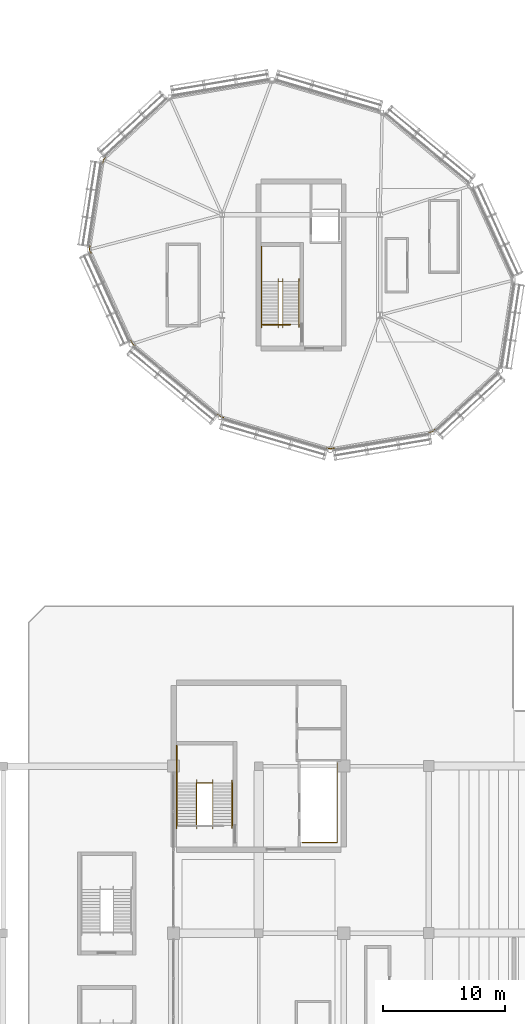
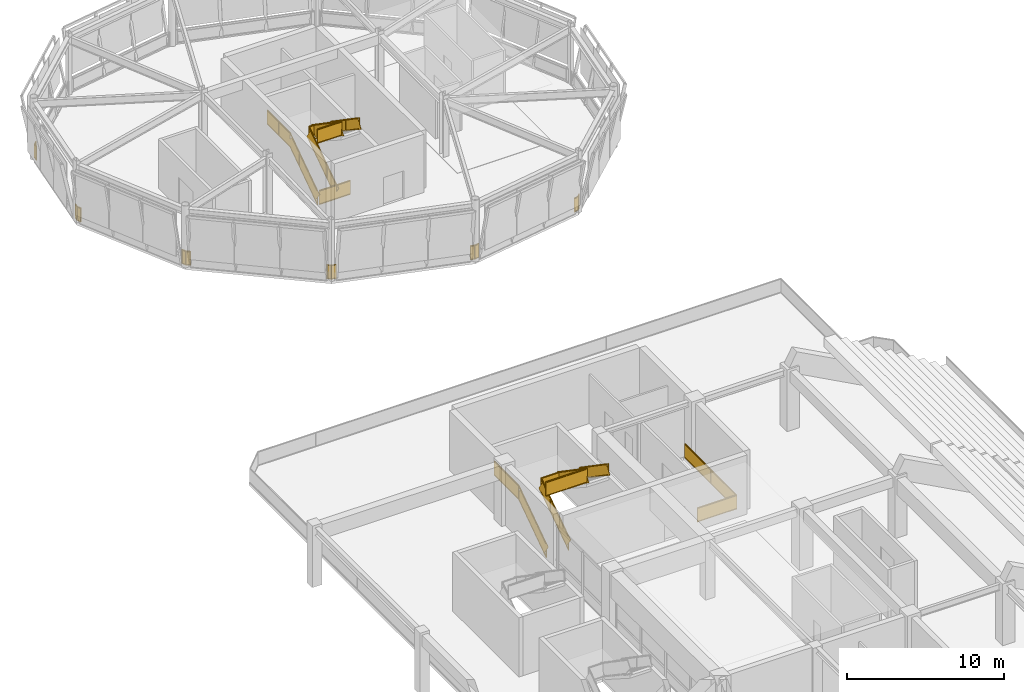
# One storey, part 89 of 94: 14 railings.
"""IFC4 building model written with IfcOpenShell, lengths in metres."""

from ifc_helpers import new_model, si_unit, direction, frame, origin, origin_2d, place, context, subcontext, project, spatial, rectangle, extrude, material, type_object, element, save


model = new_model("IFC4")

# Units and contexts
model_context = context("Model", 3, precision=1e-05, world=origin(), true_north=direction((0.0, 1.0)))
body_context = subcontext(model_context, "Body", "Model", "MODEL_VIEW")
ifc_project = project(units=[si_unit("LENGTHUNIT", "METRE"), si_unit("AREAUNIT", "SQUARE_METRE"), si_unit("VOLUMEUNIT", "CUBIC_METRE"), si_unit("PLANEANGLEUNIT", "RADIAN"), si_unit("MASSUNIT", "GRAM", prefix="KILO")], contexts=[model_context])

# Site, building, storey
site_placement = place(None, origin())
site = spatial("IfcSite", under=ifc_project, at=site_placement, CompositionType="ELEMENT")
building_placement = place(site_placement, origin())
building = spatial("IfcBuilding", under=site, at=building_placement, Name="Linyun Crest Stadium", CompositionType="ELEMENT")
storey_placement = place(building_placement, frame((0.0, 0.0, 16.199951171875)))
storey = spatial("IfcBuildingStorey", under=building, at=storey_placement, Name="L04", CompositionType="ELEMENT", Elevation=16.199951171875)

# Railings
ifc_material_1 = material(Name="Galvanized and powder-coated steel bowl safety barrier", Category="steel")
railing_type_1 = type_object("IfcRailingType", Name="GR02", PredefinedType="GUARDRAIL", material=ifc_material_1)
railing_1_placement = place(storey_placement, frame((-73.419921875, 37.090087890625, 0.0)))
element("IfcRailing", 1, at=railing_1_placement, inside=storey, type_object=railing_type_1, Name="Slab edge balustrade GR02 60", PredefinedType="GUARDRAIL", context=body_context, shape_type="SweptSolid", body=[
    extrude(rectangle(XDim=0.06005859375, YDim=0.06005859375, at=origin_2d()), frame((0.0, 0.0, 1.090087890625), z_axis=(1.0, 0.0, 0.0), x_axis=(0.0, 1.0, 0.0)), (0.0, 0.0, 1.0), 2.8798828125),
    extrude(rectangle(XDim=0.030029296875, YDim=1.0, at=origin_2d()), frame((0.0, 0.0, 0.56005859375), z_axis=(1.0, 0.0, 0.0), x_axis=(0.0, 1.0, 0.0)), (0.0, 0.0, 1.0), 2.8798828125),
    extrude(rectangle(XDim=0.06005859375, YDim=0.06005859375, at=origin_2d()), frame((0.0, 0.0, 0.030029296875), z_axis=(1.0, 0.0, 0.0), x_axis=(0.0, 1.0, 0.0)), (0.0, 0.0, 1.0), 2.8798828125),
    extrude(rectangle(XDim=0.06005859375, YDim=0.06005859375, at=origin_2d()), frame((2.8798828125, 0.0, 1.090087890625), z_axis=(0.0, 1.0, 0.0), x_axis=(-1.0, 0.0, 0.0)), (0.0, 0.0, 1.0), 6.5498046875),
    extrude(rectangle(XDim=0.030029296875, YDim=1.0, at=origin_2d()), frame((2.8798828125, 0.0, 0.56005859375), z_axis=(0.0, 1.0, 0.0), x_axis=(-1.0, 0.0, 0.0)), (0.0, 0.0, 1.0), 6.5498046875),
    extrude(rectangle(XDim=0.06005859375, YDim=0.06005859375, at=origin_2d()), frame((2.8798828125, 0.0, 0.030029296875), z_axis=(0.0, 1.0, 0.0), x_axis=(-1.0, 0.0, 0.0)), (0.0, 0.0, 1.0), 6.5498046875),
    extrude(rectangle(XDim=0.050048828125, YDim=0.050048828125, at=origin_2d()), origin(), (0.0, 0.0, 1.0), 1.1201171875),
    extrude(rectangle(XDim=0.050048828125, YDim=0.050048828125, at=origin_2d()), frame((2.8798828125, 0.0, 0.0)), (0.0, 0.0, 1.0), 1.1201171875),
    extrude(rectangle(XDim=0.050048828125, YDim=0.050048828125, at=origin_2d()), frame((2.8798828125, 3.27490234375, 0.0)), (0.0, 0.0, 1.0), 1.1201171875),
    extrude(rectangle(XDim=0.050048828125, YDim=0.050048828125, at=origin_2d()), frame((2.8798828125, 6.5498046875, 0.0)), (0.0, 0.0, 1.0), 1.1201171875),
])
railing_2_placement = place(storey_placement, frame((-62.507080078125, 71.08203125, 0.0)))
element("IfcRailing", 2, at=railing_2_placement, inside=storey, type_object=railing_type_1, Name="Slab edge balustrade GR02 287", PredefinedType="GUARDRAIL", context=body_context, shape_type="SweptSolid", body=[
    extrude(rectangle(XDim=0.06005859375, YDim=0.06005859375, at=origin_2d()), frame((0.0, 0.0, 1.090087890625), z_axis=(-0.734572019785, -0.678530727196, 0.0), x_axis=(0.678530727196, -0.734572019785, 0.0)), (0.0, 0.0, 1.0), 0.283203125),
    extrude(rectangle(XDim=0.030029296875, YDim=1.0, at=origin_2d()), frame((0.0, 0.0, 0.56005859375), z_axis=(-0.734572019785, -0.678530727196, 0.0), x_axis=(0.678530727196, -0.734572019785, 0.0)), (0.0, 0.0, 1.0), 0.283203125),
    extrude(rectangle(XDim=0.06005859375, YDim=0.06005859375, at=origin_2d()), frame((0.0, 0.0, 0.030029296875), z_axis=(-0.734572019785, -0.678530727196, 0.0), x_axis=(0.678530727196, -0.734572019785, 0.0)), (0.0, 0.0, 1.0), 0.283203125),
    extrude(rectangle(XDim=0.06005859375, YDim=0.06005859375, at=origin_2d()), frame((-0.2080078125, -0.192138671875, 1.090087890625), z_axis=(-0.986627241764, -0.1629929011, 0.0), x_axis=(0.1629929011, -0.986627241764, 0.0)), (0.0, 0.0, 1.0), 0.281494140625),
    extrude(rectangle(XDim=0.030029296875, YDim=1.0, at=origin_2d()), frame((-0.2080078125, -0.192138671875, 0.56005859375), z_axis=(-0.986627241764, -0.1629929011, 0.0), x_axis=(0.1629929011, -0.986627241764, 0.0)), (0.0, 0.0, 1.0), 0.281494140625),
    extrude(rectangle(XDim=0.06005859375, YDim=0.06005859375, at=origin_2d()), frame((-0.2080078125, -0.192138671875, 0.030029296875), z_axis=(-0.986627241764, -0.1629929011, 0.0), x_axis=(0.1629929011, -0.986627241764, 0.0)), (0.0, 0.0, 1.0), 0.281494140625),
    extrude(rectangle(XDim=0.050048828125, YDim=0.050048828125, at=origin_2d()), origin(), (0.0, 0.0, 1.0), 1.1201171875),
    extrude(rectangle(XDim=0.050048828125, YDim=0.050048828125, at=origin_2d()), frame((-0.2080078125, -0.192138671875, 0.0)), (0.0, 0.0, 1.0), 1.1201171875),
    extrude(rectangle(XDim=0.050048828125, YDim=0.050048828125, at=origin_2d()), frame((-0.48583984375, -0.238037109375, 0.0)), (0.0, 0.0, 1.0), 1.1201171875),
])
railing_3_placement = place(storey_placement, frame((-70.820068359375, 69.532958984375, 0.0)))
element("IfcRailing", 3, at=railing_3_placement, inside=storey, type_object=railing_type_1, Name="Slab edge balustrade GR02 288", PredefinedType="GUARDRAIL", context=body_context, shape_type="SweptSolid", body=[
    extrude(rectangle(XDim=0.06005859375, YDim=0.06005859375, at=origin_2d()), frame((0.0, 0.0, 1.090087890625), z_axis=(-0.985905166387, -0.167305119144, 0.0), x_axis=(0.167305119144, -0.985905166387, 0.0)), (0.0, 0.0, 1.0), 0.2861328125),
    extrude(rectangle(XDim=0.030029296875, YDim=1.0, at=origin_2d()), frame((0.0, 0.0, 0.56005859375), z_axis=(-0.985905166387, -0.167305119144, 0.0), x_axis=(0.167305119144, -0.985905166387, 0.0)), (0.0, 0.0, 1.0), 0.2861328125),
    extrude(rectangle(XDim=0.06005859375, YDim=0.06005859375, at=origin_2d()), frame((0.0, 0.0, 0.030029296875), z_axis=(-0.985905166387, -0.167305119144, 0.0), x_axis=(0.167305119144, -0.985905166387, 0.0)), (0.0, 0.0, 1.0), 0.2861328125),
    extrude(rectangle(XDim=0.06005859375, YDim=0.06005859375, at=origin_2d()), frame((-0.281982421875, -0.0478515625, 1.090087890625), z_axis=(-0.959406194526, 0.282027931073, 0.0), x_axis=(-0.282027931073, -0.959406194526, 0.0)), (0.0, 0.0, 1.0), 0.28662109375),
    extrude(rectangle(XDim=0.030029296875, YDim=1.0, at=origin_2d()), frame((-0.281982421875, -0.0478515625, 0.56005859375), z_axis=(-0.959406194526, 0.282027931073, 0.0), x_axis=(-0.282027931073, -0.959406194526, 0.0)), (0.0, 0.0, 1.0), 0.28662109375),
    extrude(rectangle(XDim=0.06005859375, YDim=0.06005859375, at=origin_2d()), frame((-0.281982421875, -0.0478515625, 0.030029296875), z_axis=(-0.959406194526, 0.282027931073, 0.0), x_axis=(-0.282027931073, -0.959406194526, 0.0)), (0.0, 0.0, 1.0), 0.28662109375),
    extrude(rectangle(XDim=0.050048828125, YDim=0.050048828125, at=origin_2d()), origin(), (0.0, 0.0, 1.0), 1.1201171875),
    extrude(rectangle(XDim=0.050048828125, YDim=0.050048828125, at=origin_2d()), frame((-0.281982421875, -0.0478515625, 0.0)), (0.0, 0.0, 1.0), 1.1201171875),
    extrude(rectangle(XDim=0.050048828125, YDim=0.050048828125, at=origin_2d()), frame((-0.556884765625, 0.032958984375, 0.0)), (0.0, 0.0, 1.0), 1.1201171875),
])
railing_4_placement = place(storey_placement, frame((-79.861083984375, 72.06005859375, 0.0)))
element("IfcRailing", 4, at=railing_4_placement, inside=storey, type_object=railing_type_1, Name="Slab edge balustrade GR02 289", PredefinedType="GUARDRAIL", context=body_context, shape_type="SweptSolid", body=[
    extrude(rectangle(XDim=0.06005859375, YDim=0.06005859375, at=origin_2d()), frame((0.0, 0.0, 1.090087890625), z_axis=(-0.959446583049, 0.281890500506, 0.0), x_axis=(-0.281890500506, -0.959446583049, 0.0)), (0.0, 0.0, 1.0), 0.28759765625),
    extrude(rectangle(XDim=0.030029296875, YDim=1.0, at=origin_2d()), frame((0.0, 0.0, 0.56005859375), z_axis=(-0.959446583049, 0.281890500506, 0.0), x_axis=(-0.281890500506, -0.959446583049, 0.0)), (0.0, 0.0, 1.0), 0.28759765625),
    extrude(rectangle(XDim=0.06005859375, YDim=0.06005859375, at=origin_2d()), frame((0.0, 0.0, 0.030029296875), z_axis=(-0.959446583049, 0.281890500506, 0.0), x_axis=(-0.281890500506, -0.959446583049, 0.0)), (0.0, 0.0, 1.0), 0.28759765625),
    extrude(rectangle(XDim=0.06005859375, YDim=0.06005859375, at=origin_2d()), frame((-0.27587890625, 0.0810546875, 1.090087890625), z_axis=(-0.771758653069, 0.635915545818, 0.0), x_axis=(-0.635915545818, -0.771758653069, 0.0)), (0.0, 0.0, 1.0), 0.28759765625),
    extrude(rectangle(XDim=0.030029296875, YDim=1.0, at=origin_2d()), frame((-0.27587890625, 0.0810546875, 0.56005859375), z_axis=(-0.771758653069, 0.635915545818, 0.0), x_axis=(-0.635915545818, -0.771758653069, 0.0)), (0.0, 0.0, 1.0), 0.28759765625),
    extrude(rectangle(XDim=0.06005859375, YDim=0.06005859375, at=origin_2d()), frame((-0.27587890625, 0.0810546875, 0.030029296875), z_axis=(-0.771758653069, 0.635915545818, 0.0), x_axis=(-0.635915545818, -0.771758653069, 0.0)), (0.0, 0.0, 1.0), 0.28759765625),
    extrude(rectangle(XDim=0.050048828125, YDim=0.050048828125, at=origin_2d()), origin(), (0.0, 0.0, 1.0), 1.1201171875),
    extrude(rectangle(XDim=0.050048828125, YDim=0.050048828125, at=origin_2d()), frame((-0.27587890625, 0.0810546875, 0.0)), (0.0, 0.0, 1.0), 1.1201171875),
    extrude(rectangle(XDim=0.050048828125, YDim=0.050048828125, at=origin_2d()), frame((-0.497802734375, 0.263916015625, 0.0)), (0.0, 0.0, 1.0), 1.1201171875),
])
railing_5_placement = place(storey_placement, frame((-87.172119140625, 77.965087890625, 0.0)))
element("IfcRailing", 5, at=railing_5_placement, inside=storey, type_object=railing_type_1, Name="Slab edge balustrade GR02 290", PredefinedType="GUARDRAIL", context=body_context, shape_type="SweptSolid", body=[
    extrude(rectangle(XDim=0.06005859375, YDim=0.06005859375, at=origin_2d()), frame((0.0, 0.0, 1.090087890625), z_axis=(-0.77066950633, 0.637235052404, 0.0), x_axis=(-0.637235052404, -0.77066950633, 0.0)), (0.0, 0.0, 1.0), 0.285400390625),
    extrude(rectangle(XDim=0.030029296875, YDim=1.0, at=origin_2d()), frame((0.0, 0.0, 0.56005859375), z_axis=(-0.77066950633, 0.637235052404, 0.0), x_axis=(-0.637235052404, -0.77066950633, 0.0)), (0.0, 0.0, 1.0), 0.285400390625),
    extrude(rectangle(XDim=0.06005859375, YDim=0.06005859375, at=origin_2d()), frame((0.0, 0.0, 0.030029296875), z_axis=(-0.77066950633, 0.637235052404, 0.0), x_axis=(-0.637235052404, -0.77066950633, 0.0)), (0.0, 0.0, 1.0), 0.285400390625),
    extrude(rectangle(XDim=0.06005859375, YDim=0.06005859375, at=origin_2d()), frame((-0.219970703125, 0.181884765625, 1.090087890625), z_axis=(-0.414572445131, 0.910016311798, 0.0), x_axis=(-0.910016311798, -0.414572445131, 0.0)), (0.0, 0.0, 1.0), 0.286865234375),
    extrude(rectangle(XDim=0.030029296875, YDim=1.0, at=origin_2d()), frame((-0.219970703125, 0.181884765625, 0.56005859375), z_axis=(-0.414572445131, 0.910016311798, 0.0), x_axis=(-0.910016311798, -0.414572445131, 0.0)), (0.0, 0.0, 1.0), 0.286865234375),
    extrude(rectangle(XDim=0.06005859375, YDim=0.06005859375, at=origin_2d()), frame((-0.219970703125, 0.181884765625, 0.030029296875), z_axis=(-0.414572445131, 0.910016311798, 0.0), x_axis=(-0.910016311798, -0.414572445131, 0.0)), (0.0, 0.0, 1.0), 0.286865234375),
    extrude(rectangle(XDim=0.050048828125, YDim=0.050048828125, at=origin_2d()), origin(), (0.0, 0.0, 1.0), 1.1201171875),
    extrude(rectangle(XDim=0.050048828125, YDim=0.050048828125, at=origin_2d()), frame((-0.219970703125, 0.181884765625, 0.0)), (0.0, 0.0, 1.0), 1.1201171875),
    extrude(rectangle(XDim=0.050048828125, YDim=0.050048828125, at=origin_2d()), frame((-0.3388671875, 0.44287109375, 0.0)), (0.0, 0.0, 1.0), 1.1201171875),
])
railing_6_placement = place(storey_placement, frame((-90.800048828125, 85.6298828125, 0.0)))
element("IfcRailing", 6, at=railing_6_placement, inside=storey, type_object=railing_type_1, Name="Slab edge balustrade GR02 291", PredefinedType="GUARDRAIL", context=body_context, shape_type="SweptSolid", body=[
    extrude(rectangle(XDim=0.06005859375, YDim=0.06005859375, at=origin_2d()), frame((0.0, 0.0, 1.090087890625), z_axis=(-0.414063441435, 0.910248024698, 0.0), x_axis=(-0.910248024698, -0.414063441435, 0.0)), (0.0, 0.0, 1.0), 0.282470703125),
    extrude(rectangle(XDim=0.030029296875, YDim=1.0, at=origin_2d()), frame((0.0, 0.0, 0.56005859375), z_axis=(-0.414063441435, 0.910248024698, 0.0), x_axis=(-0.910248024698, -0.414063441435, 0.0)), (0.0, 0.0, 1.0), 0.282470703125),
    extrude(rectangle(XDim=0.06005859375, YDim=0.06005859375, at=origin_2d()), frame((0.0, 0.0, 0.030029296875), z_axis=(-0.414063441435, 0.910248024698, 0.0), x_axis=(-0.910248024698, -0.414063441435, 0.0)), (0.0, 0.0, 1.0), 0.282470703125),
    extrude(rectangle(XDim=0.06005859375, YDim=0.06005859375, at=origin_2d()), frame((-0.116943359375, 0.257080078125, 1.090087890625), z_axis=(0.1521871378, 0.988351696052, 0.0), x_axis=(-0.988351696052, 0.1521871378, 0.0)), (0.0, 0.0, 1.0), 0.2822265625),
    extrude(rectangle(XDim=0.030029296875, YDim=1.0, at=origin_2d()), frame((-0.116943359375, 0.257080078125, 0.56005859375), z_axis=(0.1521871378, 0.988351696052, 0.0), x_axis=(-0.988351696052, 0.1521871378, 0.0)), (0.0, 0.0, 1.0), 0.2822265625),
    extrude(rectangle(XDim=0.06005859375, YDim=0.06005859375, at=origin_2d()), frame((-0.116943359375, 0.257080078125, 0.030029296875), z_axis=(0.1521871378, 0.988351696052, 0.0), x_axis=(-0.988351696052, 0.1521871378, 0.0)), (0.0, 0.0, 1.0), 0.2822265625),
    extrude(rectangle(XDim=0.050048828125, YDim=0.050048828125, at=origin_2d()), origin(), (0.0, 0.0, 1.0), 1.1201171875),
    extrude(rectangle(XDim=0.050048828125, YDim=0.050048828125, at=origin_2d()), frame((-0.116943359375, 0.257080078125, 0.0)), (0.0, 0.0, 1.0), 1.1201171875),
    extrude(rectangle(XDim=0.050048828125, YDim=0.050048828125, at=origin_2d()), frame((-0.073974609375, 0.5361328125, 0.0)), (0.0, 0.0, 1.0), 1.1201171875),
])
railing_7_placement = place(storey_placement, frame((-89.821044921875, 93.00390625, 0.0)))
element("IfcRailing", 7, at=railing_7_placement, inside=storey, type_object=railing_type_1, Name="Slab edge balustrade GR02 292", PredefinedType="GUARDRAIL", context=body_context, shape_type="SweptSolid", body=[
    extrude(rectangle(XDim=0.06005859375, YDim=0.06005859375, at=origin_2d()), frame((0.0, 0.0, 1.090087890625), z_axis=(0.150349133385, 0.988632964295, 0.0), x_axis=(-0.988632964295, 0.150349133385, 0.0)), (0.0, 0.0, 1.0), 0.279296875),
    extrude(rectangle(XDim=0.030029296875, YDim=1.0, at=origin_2d()), frame((0.0, 0.0, 0.56005859375), z_axis=(0.150349133385, 0.988632964295, 0.0), x_axis=(-0.988632964295, 0.150349133385, 0.0)), (0.0, 0.0, 1.0), 0.279296875),
    extrude(rectangle(XDim=0.06005859375, YDim=0.06005859375, at=origin_2d()), frame((0.0, 0.0, 0.030029296875), z_axis=(0.150349133385, 0.988632964295, 0.0), x_axis=(-0.988632964295, 0.150349133385, 0.0)), (0.0, 0.0, 1.0), 0.279296875),
    extrude(rectangle(XDim=0.06005859375, YDim=0.06005859375, at=origin_2d()), frame((0.0419921875, 0.276123046875, 1.090087890625), z_axis=(0.733663907779, 0.67951252411, 0.0), x_axis=(-0.67951252411, 0.733663907779, 0.0)), (0.0, 0.0, 1.0), 0.279541015625),
    extrude(rectangle(XDim=0.030029296875, YDim=1.0, at=origin_2d()), frame((0.0419921875, 0.276123046875, 0.56005859375), z_axis=(0.733663907779, 0.67951252411, 0.0), x_axis=(-0.67951252411, 0.733663907779, 0.0)), (0.0, 0.0, 1.0), 0.279541015625),
    extrude(rectangle(XDim=0.06005859375, YDim=0.06005859375, at=origin_2d()), frame((0.0419921875, 0.276123046875, 0.030029296875), z_axis=(0.733663907779, 0.67951252411, 0.0), x_axis=(-0.67951252411, 0.733663907779, 0.0)), (0.0, 0.0, 1.0), 0.279541015625),
    extrude(rectangle(XDim=0.050048828125, YDim=0.050048828125, at=origin_2d()), origin(), (0.0, 0.0, 1.0), 1.1201171875),
    extrude(rectangle(XDim=0.050048828125, YDim=0.050048828125, at=origin_2d()), frame((0.0419921875, 0.276123046875, 0.0)), (0.0, 0.0, 1.0), 1.1201171875),
    extrude(rectangle(XDim=0.050048828125, YDim=0.050048828125, at=origin_2d()), frame((0.2470703125, 0.466064453125, 0.0)), (0.0, 0.0, 1.0), 1.1201171875),
])
railing_8_placement = place(storey_placement, frame((-76.659912109375, 79.7099609375, 0.0)))
element("IfcRailing", 8, at=railing_8_placement, inside=storey, type_object=railing_type_1, Name="Slab edge balustrade GR02 300", PredefinedType="GUARDRAIL", context=body_context, shape_type="SweptSolid", body=[
    extrude(rectangle(XDim=0.06005859375, YDim=0.06005859375, at=origin_2d()), frame((0.0, 0.0, 1.090087890625), z_axis=(1.0, 0.0, 0.0), x_axis=(0.0, 1.0, 0.0)), (0.0, 0.0, 1.0), 2.260009765625),
    extrude(rectangle(XDim=0.030029296875, YDim=1.0, at=origin_2d()), frame((0.0, 0.0, 0.56005859375), z_axis=(1.0, 0.0, 0.0), x_axis=(0.0, 1.0, 0.0)), (0.0, 0.0, 1.0), 2.260009765625),
    extrude(rectangle(XDim=0.06005859375, YDim=0.06005859375, at=origin_2d()), frame((0.0, 0.0, 0.030029296875), z_axis=(1.0, 0.0, 0.0), x_axis=(0.0, 1.0, 0.0)), (0.0, 0.0, 1.0), 2.260009765625),
    extrude(rectangle(XDim=0.050048828125, YDim=0.050048828125, at=origin_2d()), origin(), (0.0, 0.0, 1.0), 1.1201171875),
    extrude(rectangle(XDim=0.050048828125, YDim=0.050048828125, at=origin_2d()), frame((2.260009765625, 0.0, 0.0)), (0.0, 0.0, 1.0), 1.1201171875),
])
ifc_material_2 = material(Name="Painted steel stairwell safety guard", Category="steel")
railing_type_2 = type_object("IfcRailingType", Name="GR03", PredefinedType="GUARDRAIL", material=ifc_material_2)
railing_9_placement = place(storey_placement, frame((-83.7451171875, 38.489990234375, 0.0)))
element("IfcRailing", 9, at=railing_9_placement, inside=storey, type_object=railing_type_2, Name="STR-03-L04 outer guard", PredefinedType="GUARDRAIL", context=body_context, shape_type="SweptSolid", body=[
    extrude(rectangle(XDim=0.06005859375, YDim=0.06005859375, at=origin_2d()), frame((0.0, 0.0, 1.090087890625), z_axis=(0.0, 0.824712752785, 0.565551832633), x_axis=(-1.0, 0.0, 0.0)), (0.0, 0.0, 1.0), 4.243896484375),
    extrude(rectangle(XDim=0.030029296875, YDim=1.0, at=origin_2d()), frame((0.0, 0.0, 0.56005859375), z_axis=(0.0, 0.824712752785, 0.565551832633), x_axis=(-1.0, 0.0, 0.0)), (0.0, 0.0, 1.0), 4.243896484375),
    extrude(rectangle(XDim=0.06005859375, YDim=0.06005859375, at=origin_2d()), frame((0.0, 0.0, 0.030029296875), z_axis=(0.0, 0.824712752785, 0.565551832633), x_axis=(-1.0, 0.0, 0.0)), (0.0, 0.0, 1.0), 4.243896484375),
    extrude(rectangle(XDim=0.06005859375, YDim=0.06005859375, at=origin_2d()), frame((0.0, 3.5, 3.490234375), z_axis=(0.0, 1.0, 0.0), x_axis=(-1.0, 0.0, 0.0)), (0.0, 0.0, 1.0), 3.080078125),
    extrude(rectangle(XDim=0.030029296875, YDim=1.0, at=origin_2d()), frame((0.0, 3.5, 2.960205078125), z_axis=(0.0, 1.0, 0.0), x_axis=(-1.0, 0.0, 0.0)), (0.0, 0.0, 1.0), 3.080078125),
    extrude(rectangle(XDim=0.06005859375, YDim=0.06005859375, at=origin_2d()), frame((0.0, 3.5, 2.43017578125), z_axis=(0.0, 1.0, 0.0), x_axis=(-1.0, 0.0, 0.0)), (0.0, 0.0, 1.0), 3.080078125),
    extrude(rectangle(XDim=0.050048828125, YDim=0.050048828125, at=origin_2d()), origin(), (0.0, 0.0, 1.0), 1.1201171875),
    extrude(rectangle(XDim=0.050048828125, YDim=0.050048828125, at=origin_2d()), frame((0.0, 1.166748046875, 0.800048828125)), (0.0, 0.0, 1.0), 1.1201171875),
    extrude(rectangle(XDim=0.050048828125, YDim=0.050048828125, at=origin_2d()), frame((0.0, 2.333251953125, 1.60009765625)), (0.0, 0.0, 1.0), 1.1201171875),
    extrude(rectangle(XDim=0.050048828125, YDim=0.050048828125, at=origin_2d()), frame((0.0, 3.5, 2.400146484375)), (0.0, 0.0, 1.0), 1.1201171875),
    extrude(rectangle(XDim=0.050048828125, YDim=0.050048828125, at=origin_2d()), frame((0.0, 5.0400390625, 2.400146484375)), (0.0, 0.0, 1.0), 1.1201171875),
    extrude(rectangle(XDim=0.050048828125, YDim=0.050048828125, at=origin_2d()), frame((0.0, 6.580078125, 2.400146484375)), (0.0, 0.0, 1.0), 1.1201171875),
])
railing_10_placement = place(storey_placement, frame((-82.10498046875, 38.469970703125, 0.0)))
element("IfcRailing", 10, at=railing_10_placement, inside=storey, type_object=railing_type_2, Name="STR-03-L04 inner well guard", PredefinedType="GUARDRAIL", context=body_context, shape_type="SweptSolid", body=[
    extrude(rectangle(XDim=0.06005859375, YDim=0.06005859375, at=origin_2d()), frame((0.0, 0.0, 1.090087890625), z_axis=(0.0, 0.826212794201, 0.563358162005), x_axis=(-1.0, 0.0, 0.0)), (0.0, 0.0, 1.0), 4.260498046875),
    extrude(rectangle(XDim=0.030029296875, YDim=1.0, at=origin_2d()), frame((0.0, 0.0, 0.56005859375), z_axis=(0.0, 0.826212794201, 0.563358162005), x_axis=(-1.0, 0.0, 0.0)), (0.0, 0.0, 1.0), 4.260498046875),
    extrude(rectangle(XDim=0.06005859375, YDim=0.06005859375, at=origin_2d()), frame((0.0, 0.0, 0.030029296875), z_axis=(0.0, 0.826212794201, 0.563358162005), x_axis=(-1.0, 0.0, 0.0)), (0.0, 0.0, 1.0), 4.260498046875),
    extrude(rectangle(XDim=0.06005859375, YDim=0.06005859375, at=origin_2d()), frame((0.0, 3.52001953125, 3.490234375), z_axis=(1.0, 0.0, 0.0), x_axis=(0.0, 1.0, 0.0)), (0.0, 0.0, 1.0), 1.3349609375),
    extrude(rectangle(XDim=0.030029296875, YDim=1.0, at=origin_2d()), frame((0.0, 3.52001953125, 2.960205078125), z_axis=(1.0, 0.0, 0.0), x_axis=(0.0, 1.0, 0.0)), (0.0, 0.0, 1.0), 1.3349609375),
    extrude(rectangle(XDim=0.06005859375, YDim=0.06005859375, at=origin_2d()), frame((0.0, 3.52001953125, 2.43017578125), z_axis=(1.0, 0.0, 0.0), x_axis=(0.0, 1.0, 0.0)), (0.0, 0.0, 1.0), 1.3349609375),
    extrude(rectangle(XDim=0.06005859375, YDim=0.06005859375, at=origin_2d()), frame((1.3349609375, 3.52001953125, 3.490234375), z_axis=(0.0, -0.826239466617, 0.563319042644), x_axis=(1.0, 0.0, 0.0)), (0.0, 0.0, 1.0), 4.26025390625),
    extrude(rectangle(XDim=0.030029296875, YDim=1.0, at=origin_2d()), frame((1.3349609375, 3.52001953125, 2.960205078125), z_axis=(0.0, -0.826239466617, 0.563319042644), x_axis=(1.0, 0.0, 0.0)), (0.0, 0.0, 1.0), 4.26025390625),
    extrude(rectangle(XDim=0.06005859375, YDim=0.06005859375, at=origin_2d()), frame((1.3349609375, 3.52001953125, 2.43017578125), z_axis=(0.0, -0.826239466617, 0.563319042644), x_axis=(1.0, 0.0, 0.0)), (0.0, 0.0, 1.0), 4.26025390625),
    extrude(rectangle(XDim=0.06005859375, YDim=0.06005859375, at=origin_2d()), frame((1.3349609375, 0.0, 5.89013671875), z_axis=(-1.0, 0.0, 0.0), x_axis=(0.0, -1.0, 0.0)), (0.0, 0.0, 1.0), 2.98486328125),
    extrude(rectangle(XDim=0.030029296875, YDim=1.0, at=origin_2d()), frame((1.3349609375, 0.0, 5.360107421875), z_axis=(-1.0, 0.0, 0.0), x_axis=(0.0, -1.0, 0.0)), (0.0, 0.0, 1.0), 2.98486328125),
    extrude(rectangle(XDim=0.06005859375, YDim=0.06005859375, at=origin_2d()), frame((1.3349609375, 0.0, 4.830078125), z_axis=(-1.0, 0.0, 0.0), x_axis=(0.0, -1.0, 0.0)), (0.0, 0.0, 1.0), 2.98486328125),
    extrude(rectangle(XDim=0.050048828125, YDim=0.050048828125, at=origin_2d()), origin(), (0.0, 0.0, 1.0), 1.1201171875),
    extrude(rectangle(XDim=0.050048828125, YDim=0.050048828125, at=origin_2d()), frame((0.0, 1.17333984375, 0.800048828125)), (0.0, 0.0, 1.0), 1.1201171875),
    extrude(rectangle(XDim=0.050048828125, YDim=0.050048828125, at=origin_2d()), frame((0.0, 2.3466796875, 1.60009765625)), (0.0, 0.0, 1.0), 1.1201171875),
    extrude(rectangle(XDim=0.050048828125, YDim=0.050048828125, at=origin_2d()), frame((0.0, 3.52001953125, 2.400146484375)), (0.0, 0.0, 1.0), 1.1201171875),
    extrude(rectangle(XDim=0.050048828125, YDim=0.050048828125, at=origin_2d()), frame((1.3349609375, 3.52001953125, 2.400146484375)), (0.0, 0.0, 1.0), 1.1201171875),
    extrude(rectangle(XDim=0.050048828125, YDim=0.050048828125, at=origin_2d()), frame((1.3349609375, 2.3466796875, 3.2001953125)), (0.0, 0.0, 1.0), 1.1201171875),
    extrude(rectangle(XDim=0.050048828125, YDim=0.050048828125, at=origin_2d()), frame((1.3349609375, 1.17333984375, 4.0)), (0.0, 0.0, 1.0), 1.1201171875),
    extrude(rectangle(XDim=0.050048828125, YDim=0.050048828125, at=origin_2d()), frame((1.3349609375, 0.0, 4.800048828125)), (0.0, 0.0, 1.0), 1.1201171875),
    extrude(rectangle(XDim=0.050048828125, YDim=0.050048828125, at=origin_2d()), frame((-0.157470703125, 0.0, 4.800048828125)), (0.0, 0.0, 1.0), 1.1201171875),
    extrude(rectangle(XDim=0.050048828125, YDim=0.050048828125, at=origin_2d()), frame((-1.64990234375, 0.0, 4.800048828125)), (0.0, 0.0, 1.0), 1.1201171875),
])
railing_11_placement = place(storey_placement, frame((-76.77001953125, 79.739990234375, 0.0)))
element("IfcRailing", 11, at=railing_11_placement, inside=storey, type_object=railing_type_2, Name="STR-11-L04 outer guard", PredefinedType="GUARDRAIL", context=body_context, shape_type="SweptSolid", body=[
    extrude(rectangle(XDim=0.06005859375, YDim=0.06005859375, at=origin_2d()), frame((0.0, 0.0, 1.090087890625), z_axis=(0.0, 0.824712752785, 0.565551832633), x_axis=(-1.0, 0.0, 0.0)), (0.0, 0.0, 1.0), 4.243896484375),
    extrude(rectangle(XDim=0.030029296875, YDim=1.0, at=origin_2d()), frame((0.0, 0.0, 0.56005859375), z_axis=(0.0, 0.824712752785, 0.565551832633), x_axis=(-1.0, 0.0, 0.0)), (0.0, 0.0, 1.0), 4.243896484375),
    extrude(rectangle(XDim=0.06005859375, YDim=0.06005859375, at=origin_2d()), frame((0.0, 0.0, 0.030029296875), z_axis=(0.0, 0.824712752785, 0.565551832633), x_axis=(-1.0, 0.0, 0.0)), (0.0, 0.0, 1.0), 4.243896484375),
    extrude(rectangle(XDim=0.06005859375, YDim=0.06005859375, at=origin_2d()), frame((0.0, 3.5, 3.490234375), z_axis=(0.0, 1.0, 0.0), x_axis=(-1.0, 0.0, 0.0)), (0.0, 0.0, 1.0), 2.880126953125),
    extrude(rectangle(XDim=0.030029296875, YDim=1.0, at=origin_2d()), frame((0.0, 3.5, 2.960205078125), z_axis=(0.0, 1.0, 0.0), x_axis=(-1.0, 0.0, 0.0)), (0.0, 0.0, 1.0), 2.880126953125),
    extrude(rectangle(XDim=0.06005859375, YDim=0.06005859375, at=origin_2d()), frame((0.0, 3.5, 2.43017578125), z_axis=(0.0, 1.0, 0.0), x_axis=(-1.0, 0.0, 0.0)), (0.0, 0.0, 1.0), 2.880126953125),
    extrude(rectangle(XDim=0.050048828125, YDim=0.050048828125, at=origin_2d()), origin(), (0.0, 0.0, 1.0), 1.1201171875),
    extrude(rectangle(XDim=0.050048828125, YDim=0.050048828125, at=origin_2d()), frame((0.0, 1.166748046875, 0.800048828125)), (0.0, 0.0, 1.0), 1.1201171875),
    extrude(rectangle(XDim=0.050048828125, YDim=0.050048828125, at=origin_2d()), frame((0.0, 2.333251953125, 1.60009765625)), (0.0, 0.0, 1.0), 1.1201171875),
    extrude(rectangle(XDim=0.050048828125, YDim=0.050048828125, at=origin_2d()), frame((0.0, 3.5, 2.400146484375)), (0.0, 0.0, 1.0), 1.1201171875),
    extrude(rectangle(XDim=0.050048828125, YDim=0.050048828125, at=origin_2d()), frame((0.0, 4.93994140625, 2.400146484375)), (0.0, 0.0, 1.0), 1.1201171875),
    extrude(rectangle(XDim=0.050048828125, YDim=0.050048828125, at=origin_2d()), frame((0.0, 6.380126953125, 2.400146484375)), (0.0, 0.0, 1.0), 1.1201171875),
])
railing_12_placement = place(storey_placement, frame((-75.3798828125, 79.719970703125, 0.0)))
element("IfcRailing", 12, at=railing_12_placement, inside=storey, type_object=railing_type_2, Name="STR-11-L04 inner well guard", PredefinedType="GUARDRAIL", context=body_context, shape_type="SweptSolid", body=[
    extrude(rectangle(XDim=0.06005859375, YDim=0.06005859375, at=origin_2d()), frame((0.0, 0.0, 1.090087890625), z_axis=(0.0, 0.826212794201, 0.563358162005), x_axis=(-1.0, 0.0, 0.0)), (0.0, 0.0, 1.0), 4.260498046875),
    extrude(rectangle(XDim=0.030029296875, YDim=1.0, at=origin_2d()), frame((0.0, 0.0, 0.56005859375), z_axis=(0.0, 0.826212794201, 0.563358162005), x_axis=(-1.0, 0.0, 0.0)), (0.0, 0.0, 1.0), 4.260498046875),
    extrude(rectangle(XDim=0.06005859375, YDim=0.06005859375, at=origin_2d()), frame((0.0, 0.0, 0.030029296875), z_axis=(0.0, 0.826212794201, 0.563358162005), x_axis=(-1.0, 0.0, 0.0)), (0.0, 0.0, 1.0), 4.260498046875),
    extrude(rectangle(XDim=0.06005859375, YDim=0.06005859375, at=origin_2d()), frame((0.0, 3.52001953125, 3.490234375), z_axis=(1.0, 0.0, 0.0), x_axis=(0.0, 1.0, 0.0)), (0.0, 0.0, 1.0), 0.35986328125),
    extrude(rectangle(XDim=0.030029296875, YDim=1.0, at=origin_2d()), frame((0.0, 3.52001953125, 2.960205078125), z_axis=(1.0, 0.0, 0.0), x_axis=(0.0, 1.0, 0.0)), (0.0, 0.0, 1.0), 0.35986328125),
    extrude(rectangle(XDim=0.06005859375, YDim=0.06005859375, at=origin_2d()), frame((0.0, 3.52001953125, 2.43017578125), z_axis=(1.0, 0.0, 0.0), x_axis=(0.0, 1.0, 0.0)), (0.0, 0.0, 1.0), 0.35986328125),
    extrude(rectangle(XDim=0.06005859375, YDim=0.06005859375, at=origin_2d()), frame((0.35986328125, 3.52001953125, 3.490234375), z_axis=(0.0, -0.826239466617, 0.563319042644), x_axis=(1.0, 0.0, 0.0)), (0.0, 0.0, 1.0), 4.26025390625),
    extrude(rectangle(XDim=0.030029296875, YDim=1.0, at=origin_2d()), frame((0.35986328125, 3.52001953125, 2.960205078125), z_axis=(0.0, -0.826239466617, 0.563319042644), x_axis=(1.0, 0.0, 0.0)), (0.0, 0.0, 1.0), 4.26025390625),
    extrude(rectangle(XDim=0.06005859375, YDim=0.06005859375, at=origin_2d()), frame((0.35986328125, 3.52001953125, 2.43017578125), z_axis=(0.0, -0.826239466617, 0.563319042644), x_axis=(1.0, 0.0, 0.0)), (0.0, 0.0, 1.0), 4.26025390625),
    extrude(rectangle(XDim=0.06005859375, YDim=0.06005859375, at=origin_2d()), frame((0.35986328125, 0.0, 5.89013671875), z_axis=(-1.0, 0.0, 0.0), x_axis=(0.0, -1.0, 0.0)), (0.0, 0.0, 1.0), 1.760009765625),
    extrude(rectangle(XDim=0.030029296875, YDim=1.0, at=origin_2d()), frame((0.35986328125, 0.0, 5.360107421875), z_axis=(-1.0, 0.0, 0.0), x_axis=(0.0, -1.0, 0.0)), (0.0, 0.0, 1.0), 1.760009765625),
    extrude(rectangle(XDim=0.06005859375, YDim=0.06005859375, at=origin_2d()), frame((0.35986328125, 0.0, 4.830078125), z_axis=(-1.0, 0.0, 0.0), x_axis=(0.0, -1.0, 0.0)), (0.0, 0.0, 1.0), 1.760009765625),
    extrude(rectangle(XDim=0.050048828125, YDim=0.050048828125, at=origin_2d()), origin(), (0.0, 0.0, 1.0), 1.1201171875),
    extrude(rectangle(XDim=0.050048828125, YDim=0.050048828125, at=origin_2d()), frame((0.0, 1.17333984375, 0.800048828125)), (0.0, 0.0, 1.0), 1.1201171875),
    extrude(rectangle(XDim=0.050048828125, YDim=0.050048828125, at=origin_2d()), frame((0.0, 2.3466796875, 1.60009765625)), (0.0, 0.0, 1.0), 1.1201171875),
    extrude(rectangle(XDim=0.050048828125, YDim=0.050048828125, at=origin_2d()), frame((0.0, 3.52001953125, 2.400146484375)), (0.0, 0.0, 1.0), 1.1201171875),
    extrude(rectangle(XDim=0.050048828125, YDim=0.050048828125, at=origin_2d()), frame((0.35986328125, 3.52001953125, 2.400146484375)), (0.0, 0.0, 1.0), 1.1201171875),
    extrude(rectangle(XDim=0.050048828125, YDim=0.050048828125, at=origin_2d()), frame((0.35986328125, 2.3466796875, 3.2001953125)), (0.0, 0.0, 1.0), 1.1201171875),
    extrude(rectangle(XDim=0.050048828125, YDim=0.050048828125, at=origin_2d()), frame((0.35986328125, 1.17333984375, 4.0)), (0.0, 0.0, 1.0), 1.1201171875),
    extrude(rectangle(XDim=0.050048828125, YDim=0.050048828125, at=origin_2d()), frame((0.35986328125, 0.0, 4.800048828125)), (0.0, 0.0, 1.0), 1.1201171875),
    extrude(rectangle(XDim=0.050048828125, YDim=0.050048828125, at=origin_2d()), frame((-1.400146484375, 0.0, 4.800048828125)), (0.0, 0.0, 1.0), 1.1201171875),
])
ifc_material_3 = material(Name="Brushed stainless steel tubular handrail", Category="steel")
railing_type_3 = type_object("IfcRailingType", Name="HR01", PredefinedType="HANDRAIL", material=ifc_material_3)
for number, where, name in (
    (13, (-79.179931640625, 41.989990234375, 2.400146484375), "STR-03-L04 handrail"),
    (14, (-73.679931640625, 83.239990234375, 2.400146484375), "STR-11-L04 handrail"),
):
    element("IfcRailing", number, at=place(storey_placement, frame(where)), inside=storey, type_object=railing_type_3, Name=name, PredefinedType="HANDRAIL", context=body_context, shape_type="SweptSolid", body=[
        extrude(rectangle(XDim=0.06005859375, YDim=0.06005859375, at=origin_2d()), frame((0.0, 0.0, 0.889892578125), z_axis=(0.0, -0.824739584531, 0.5655127034), x_axis=(1.0, 0.0, 0.0)), (0.0, 0.0, 1.0), 4.24365234375),
        extrude(rectangle(XDim=0.030029296875, YDim=0.7998046875, at=origin_2d()), frame((0.0, 0.0, 0.4599609375), z_axis=(0.0, -0.824739584531, 0.5655127034), x_axis=(1.0, 0.0, 0.0)), (0.0, 0.0, 1.0), 4.24365234375),
        extrude(rectangle(XDim=0.06005859375, YDim=0.06005859375, at=origin_2d()), frame((0.0, 0.0, 0.030029296875), z_axis=(0.0, -0.824739584531, 0.5655127034), x_axis=(1.0, 0.0, 0.0)), (0.0, 0.0, 1.0), 4.24365234375),
        extrude(rectangle(XDim=0.050048828125, YDim=0.050048828125, at=origin_2d()), origin(), (0.0, 0.0, 1.0), 0.919921875),
        extrude(rectangle(XDim=0.050048828125, YDim=0.050048828125, at=origin_2d()), frame((0.0, -1.75, 1.199951171875)), (0.0, 0.0, 1.0), 0.919921875),
        extrude(rectangle(XDim=0.050048828125, YDim=0.050048828125, at=origin_2d()), frame((0.0, -3.5, 2.39990234375)), (0.0, 0.0, 1.0), 0.919921875),
    ])

save(model, "model.ifc")
